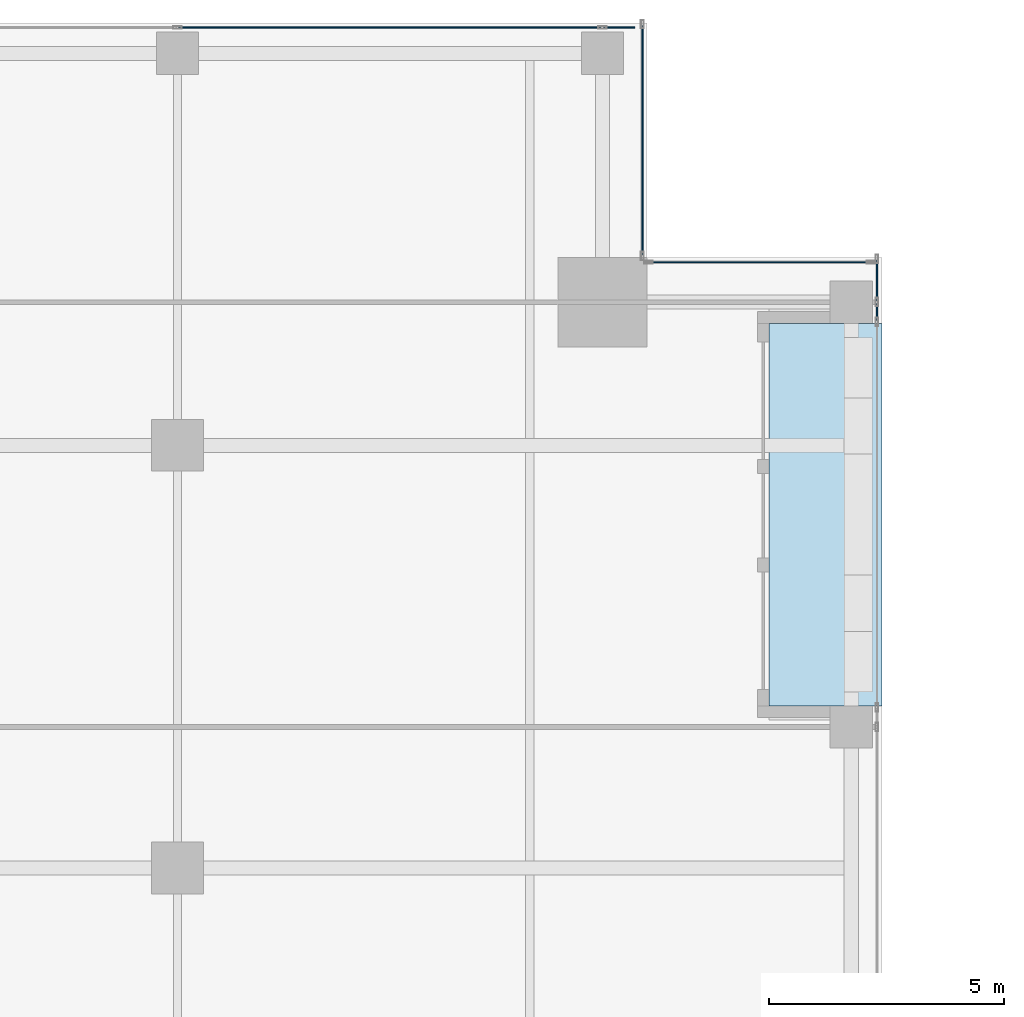
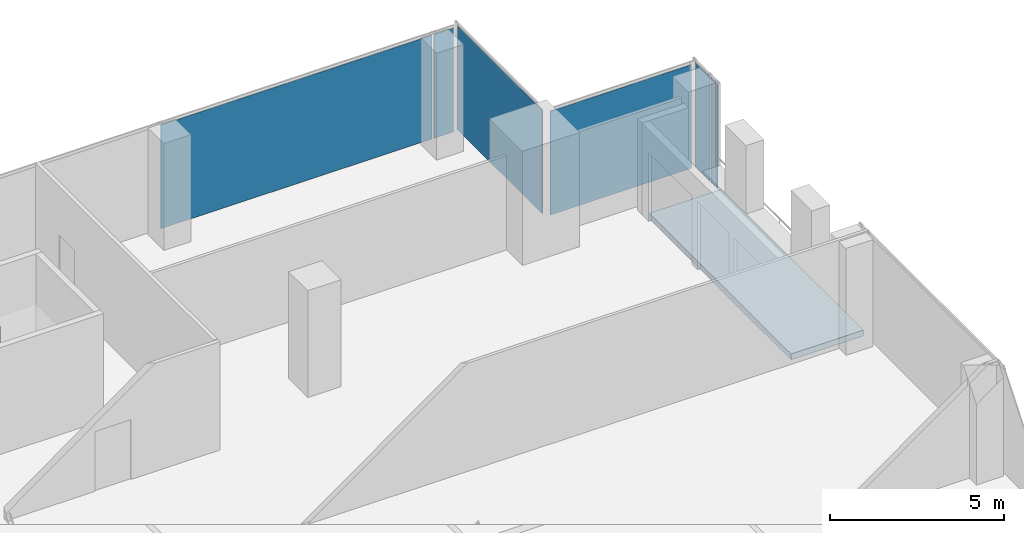
# One storey, part 28 of 34: 6 plates, 1 slab, 4 elements without a shape of their own.
"""IFC4 building model written with IfcOpenShell, lengths in metres."""

from ifc_helpers import new_model, si_unit, direction, frame, origin, origin_2d, place, context, subcontext, project, spatial, polyline, rectangle, outline, extrude, source, transform, mapped, material, layer, layer_set, type_object, element, aggregate, save


model = new_model("IFC4")

# Units and contexts
model_context = context("Model", 3, precision=1e-05, world=origin(), true_north=direction((0.0, 1.0)))
body_context = subcontext(model_context, "Body", "Model", "MODEL_VIEW")
ifc_project = project(units=[si_unit("LENGTHUNIT", "METRE"), si_unit("AREAUNIT", "SQUARE_METRE"), si_unit("VOLUMEUNIT", "CUBIC_METRE"), si_unit("PLANEANGLEUNIT", "RADIAN"), si_unit("MASSUNIT", "GRAM", prefix="KILO")], contexts=[model_context])

# Site, building, storey
site_placement = place(None, origin())
site = spatial("IfcSite", under=ifc_project, at=site_placement, CompositionType="ELEMENT")
building_placement = place(site_placement, origin())
building = spatial("IfcBuilding", under=site, at=building_placement, Name="Khomas Fold Tower", CompositionType="ELEMENT")
storey_placement = place(building_placement, frame((0.0, 0.0, 254.199951171875)))
storey = spatial("IfcBuildingStorey", under=building, at=storey_placement, Name="L57", CompositionType="ELEMENT", Elevation=254.199951171875)

# Curtain wall, plate
ifc_material_1 = material(Name="Aluminium framed double glazing", Category="aluminium")
curtain_wall_type = type_object("IfcCurtainWallType", Name="SK-Unitised clear-glass wall, office floors CW2", PredefinedType="NOTDEFINED", material=ifc_material_1)
curtain_wall_1_placement = place(storey_placement, origin())
curtain_wall_1 = element("IfcCurtainWall", 1, at=curtain_wall_1_placement, inside=storey, type_object=curtain_wall_type, Name="CW2 run L57 06-0", PredefinedType="NOTDEFINED")
ifc_material_2 = material(Name="Clear double glazed unit")
ifc_layer_1 = layer(ifc_material_2, 0.030029296875)
ifc_layer_set_1 = layer_set([ifc_layer_1], Name="Clear double glazed unit")
plate_type = type_object("IfcPlateType", Name="SK-Unitised clear-glass wall, office floors glass panel CW2-P", PredefinedType="CURTAIN_PANEL", material=ifc_layer_set_1)
shared_shape_1 = source(origin(), body_context, "Body", "SweptSolid", [
    extrude(rectangle(XDim=0.659912109375, YDim=0.030029296875, at=origin_2d()), origin(), (0.0, 0.0, 1.0), 3.639892578125),
])
plate_1_placement = place(storey_placement, frame((43.909912109375, 49.39990234375, 0.0), z_axis=(0.0, 0.0, 1.0), x_axis=(-1.0, 0.0, 0.0)))
plate_1 = element("IfcPlate", 2, at=plate_1_placement, type_object=plate_type, Name="CW2 glass panel 1", PredefinedType="CURTAIN_PANEL", context=body_context, shape_type="MappedRepresentation", body=[
    mapped(shared_shape_1, transform((0.0, 0.0, 0.0))),
])

curtain_wall_2_placement = place(storey_placement, origin())
curtain_wall_2 = element("IfcCurtainWall", 3, at=curtain_wall_2_placement, inside=storey, type_object=curtain_wall_type, Name="CW2 run L57 03-1", PredefinedType="NOTDEFINED")
shared_shape_2 = source(origin(), body_context, "Body", "SweptSolid", [
    extrude(rectangle(XDim=0.860107421875, YDim=0.030029296875, at=origin_2d()), origin(), (0.0, 0.0, 1.0), 3.639892578125),
])
plate_2_placement = place(storey_placement, frame((49.39990234375, 44.010009765625, 0.0), z_axis=(0.0, 0.0, 1.0), x_axis=(0.0, 1.0, 0.0)))
plate_2 = element("IfcPlate", 4, at=plate_2_placement, type_object=plate_type, Name="CW2 glass panel 2", PredefinedType="CURTAIN_PANEL", context=body_context, shape_type="MappedRepresentation", body=[
    mapped(shared_shape_2, transform((0.0, 0.0, 0.0))),
])

# Plate
shared_shape_3 = source(origin(), body_context, "Body", "SweptSolid", [
    extrude(rectangle(XDim=8.989990234375, YDim=0.030029296875, at=origin_2d()), origin(), (0.0, 0.0, 1.0), 3.639892578125),
])
plate_3_placement = place(storey_placement, frame((39.02490234375, 49.39990234375, 0.0), z_axis=(0.0, 0.0, 1.0), x_axis=(-1.0, 0.0, 0.0)))
plate_3 = element("IfcPlate", 5, at=plate_3_placement, type_object=plate_type, Name="CW2 glass panel 2", PredefinedType="CURTAIN_PANEL", context=body_context, shape_type="MappedRepresentation", body=[
    mapped(shared_shape_3, transform((0.0, 0.0, 0.0))),
])

aggregate(curtain_wall_1, [plate_1, plate_3])

# Curtain wall, plate
curtain_wall_3_placement = place(storey_placement, origin())
curtain_wall_3 = element("IfcCurtainWall", 6, at=curtain_wall_3_placement, inside=storey, type_object=curtain_wall_type, Name="CW2 corner return L57 04", PredefinedType="NOTDEFINED")
shared_shape_4 = source(origin(), body_context, "Body", "SweptSolid", [
    extrude(rectangle(XDim=4.679931640625, YDim=0.030029296875, at=origin_2d()), origin(), (0.0, 0.0, 1.0), 3.639892578125),
])
plate_4_placement = place(storey_placement, frame((46.89990234375, 44.39990234375, 0.0), z_axis=(0.0, 0.0, 1.0), x_axis=(-1.0, 0.0, 0.0)))
plate_4 = element("IfcPlate", 7, at=plate_4_placement, type_object=plate_type, Name="CW2 glass panel 1", PredefinedType="CURTAIN_PANEL", context=body_context, shape_type="MappedRepresentation", body=[
    mapped(shared_shape_4, transform((0.0, 0.0, 0.0))),
])
aggregate(curtain_wall_3, [plate_4])

curtain_wall_4_placement = place(storey_placement, origin())
curtain_wall_4 = element("IfcCurtainWall", 8, at=curtain_wall_4_placement, inside=storey, type_object=curtain_wall_type, Name="CW2 corner return L57 05", PredefinedType="NOTDEFINED")
shared_shape_5 = source(origin(), body_context, "Body", "SweptSolid", [
    extrude(rectangle(XDim=4.8798828125, YDim=0.030029296875, at=origin_2d()), origin(), (0.0, 0.0, 1.0), 3.639892578125),
])
plate_5_placement = place(storey_placement, frame((44.39990234375, 47.0, 0.0), z_axis=(0.0, 0.0, 1.0), x_axis=(0.0, 1.0, 0.0)))
plate_5 = element("IfcPlate", 9, at=plate_5_placement, type_object=plate_type, Name="CW2 glass panel 1", PredefinedType="CURTAIN_PANEL", context=body_context, shape_type="MappedRepresentation", body=[
    mapped(shared_shape_5, transform((0.0, 0.0, 0.0))),
])
aggregate(curtain_wall_4, [plate_5])

# Plate
shared_shape_6 = source(origin(), body_context, "Body", "SweptSolid", [
    extrude(rectangle(XDim=0.360107421875, YDim=0.030029296875, at=origin_2d()), origin(), (0.0, 0.0, 1.0), 3.639892578125),
])
plate_6_placement = place(storey_placement, frame((49.39990234375, 43.340087890625, 0.0), z_axis=(0.0, 0.0, 1.0), x_axis=(0.0, 1.0, 0.0)))
plate_6 = element("IfcPlate", 10, at=plate_6_placement, type_object=plate_type, Name="CW2 glass panel 1", PredefinedType="CURTAIN_PANEL", context=body_context, shape_type="MappedRepresentation", body=[
    mapped(shared_shape_6, transform((0.0, 0.0, 0.0))),
])

aggregate(curtain_wall_2, [plate_6, plate_2])

# Slab
ifc_material_3 = material(Name="Concrete C40/50", Category="concrete")
ifc_layer_2 = layer(ifc_material_3, 0.205078125)
ifc_layer_set_2 = layer_set([ifc_layer_2], Name="Concrete C40/50")
slab_type = type_object("IfcSlabType", Name="BL-Balcony deck 205", PredefinedType="FLOOR", material=ifc_layer_set_2)
shared_shape_7 = source(origin(), body_context, "Body", "SweptSolid", [
    extrude(outline(polyline([(47.10009765625, 34.949951171875), (49.5, 34.949951171875), (49.5, 43.10009765625), (47.10009765625, 43.10009765625), (47.10009765625, 34.949951171875)])), origin(), (0.0, 0.0, 1.0), 0.205078125),
])
slab_placement = place(storey_placement, frame((0.0, 0.0, -0.25)))
element("IfcSlab", 11, at=slab_placement, inside=storey, type_object=slab_type, Name="Balcony deck BAL-L57-E4", PredefinedType="FLOOR", context=body_context, shape_type="MappedRepresentation", body=[
    mapped(shared_shape_7, transform((0.0, 0.0, 0.0))),
])

save(model, "model.ifc")
